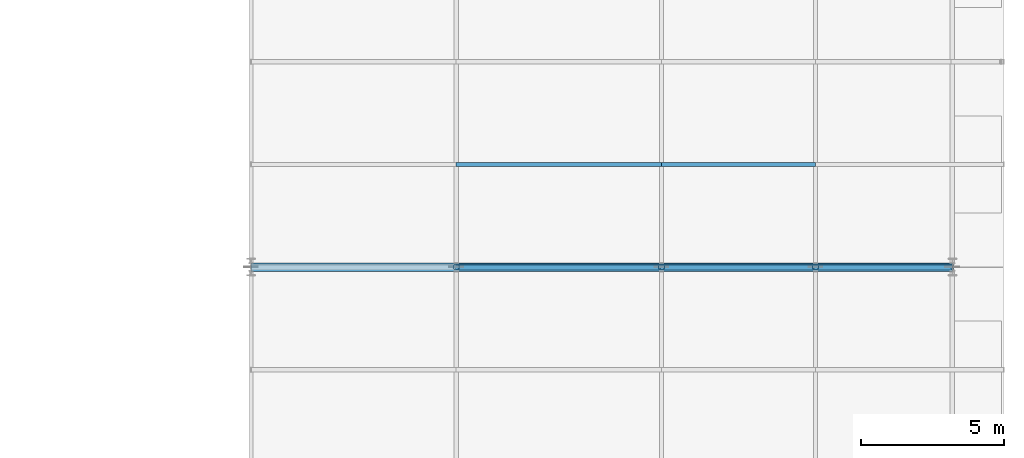
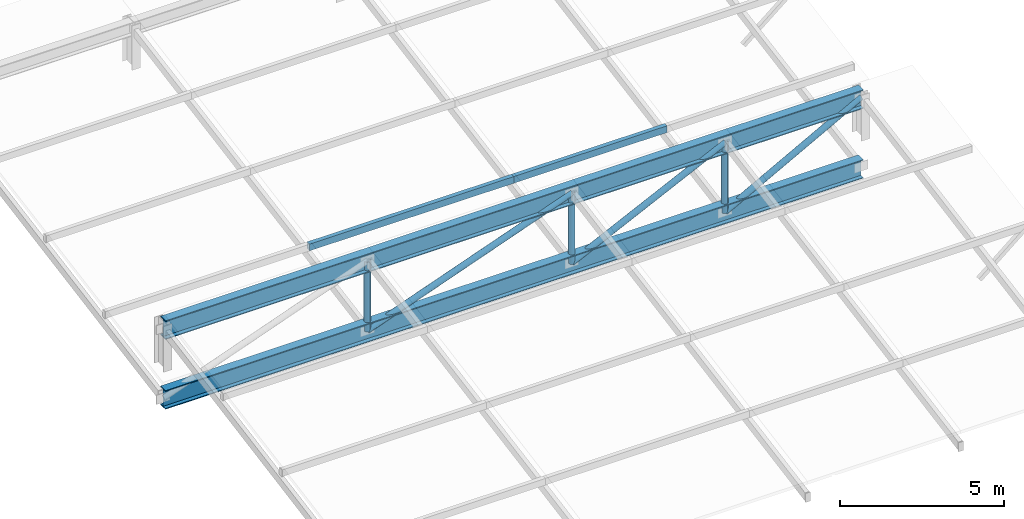
# One storey, part 33 of 63: 8 members, 2 beams.
"""IFC4 building model written with IfcOpenShell, lengths in metres."""

import ifcopenshell
import ifcopenshell.guid

model = None  # the IFC model being written
_history = None  # IfcOwnerHistory: only IFC2X3 demands one
_inside = {}  # id of a spatial element -> (the spatial element, [elements in it])
_under = {}  # id of a project, library or spatial element -> (it, [spatial elements below it])
_declared = {}  # id of a project -> (the project, [libraries it declares])
_typed = {}  # id of a type object -> (the type object, [elements of that type])
_made_of = {}  # id of a material, layer set ... -> (it, [elements and type objects made of it])


def new_model(schema):
    """Start an empty IFC model of exactly this schema.

    Asked for "IFC4X3", IfcOpenShell would pick the latest addendum, in which some entities
    have other attributes; the version numbers below select the first issue.
    IFC2X3 requires an IfcOwnerHistory on every rooted entity: one is made here for all.
    """
    global model, _history
    if schema == "IFC4X3":
        model = ifcopenshell.file(schema_version=(4, 3, 0, 0))
    else:
        model = ifcopenshell.file(schema=schema)
    _inside.clear()
    _under.clear()
    _declared.clear()
    _typed.clear()
    _made_of.clear()
    _history = None
    if model.schema == "IFC2X3":
        org = make("IfcOrganization", Name="unknown")
        user = make(
            "IfcPersonAndOrganization",
            ThePerson=make("IfcPerson", FamilyName="unknown"),
            TheOrganization=org,
        )
        app = make(
            "IfcApplication",
            ApplicationDeveloper=org,
            Version="unknown",
            ApplicationFullName="unknown",
            ApplicationIdentifier="unknown",
        )
        _history = make(
            "IfcOwnerHistory",
            OwningUser=user,
            OwningApplication=app,
            ChangeAction="ADDED",
            CreationDate=0,
        )
    return model


def make(cls, **values):
    """One entity of the class cls with the attributes given. An attribute that is None is left unset."""
    return model.create_entity(
        cls, **{name: value for name, value in values.items() if value is not None}
    )


def rooted(cls, **values):
    """An entity with a GlobalId (a new one), such as an element, a storey or a relation."""
    return make(cls, GlobalId=ifcopenshell.guid.new(), OwnerHistory=_history, **values)


def si_unit(unit_type, name, prefix=None):
    """IfcSIUnit, for example si_unit("LENGTHUNIT", "METRE", prefix="MILLI")."""
    return make("IfcSIUnit", UnitType=unit_type, Prefix=prefix, Name=name)


def assignment(units):
    """IfcUnitAssignment: the units of a project."""
    return None if units is None else make("IfcUnitAssignment", Units=units)


def point(xyz):
    """IfcCartesianPoint."""
    return None if xyz is None else make("IfcCartesianPoint", Coordinates=xyz)


def direction(xyz):
    """IfcDirection."""
    return None if xyz is None else make("IfcDirection", DirectionRatios=xyz)


def frame(location, z_axis=None, x_axis=None):
    """IfcAxis2Placement3D, a coordinate frame: its origin and axes. An axis left out is left unset."""
    return make(
        "IfcAxis2Placement3D",
        Location=point(location),
        Axis=direction(z_axis),
        RefDirection=direction(x_axis),
    )


def frame_2d(location, x_axis=None):
    """IfcAxis2Placement2D, a coordinate frame in the plane: its origin and x axis."""
    return make(
        "IfcAxis2Placement2D", Location=point(location), RefDirection=direction(x_axis)
    )


def origin():
    """The frame at (0, 0, 0) with its axes left unset."""
    return frame((0.0, 0.0, 0.0))


def origin_2d():
    """The frame at (0, 0) in the plane with its x axis left unset."""
    return frame_2d((0.0, 0.0))


def place(relative_to, where):
    """IfcLocalPlacement: puts the frame where relative to a parent placement (None: the world)."""
    return make(
        "IfcLocalPlacement", PlacementRelTo=relative_to, RelativePlacement=where
    )


def context(
    kind, dimensions, precision=None, world=None, true_north=None, identifier=None
):
    """IfcGeometricRepresentationContext, for example the 3D "Model" context."""
    return make(
        "IfcGeometricRepresentationContext",
        ContextIdentifier=identifier,
        ContextType=kind,
        CoordinateSpaceDimension=dimensions,
        Precision=precision,
        WorldCoordinateSystem=world,
        TrueNorth=true_north,
    )


def subcontext(parent, identifier, kind, view, scale=None):
    """IfcGeometricRepresentationSubContext, for example "Body" below "Model"."""
    return make(
        "IfcGeometricRepresentationSubContext",
        ContextIdentifier=identifier,
        ContextType=kind,
        ParentContext=parent,
        TargetScale=scale,
        TargetView=view,
    )


def project(units=None, contexts=None):
    """IfcProject with its units and contexts."""
    return rooted(
        "IfcProject",
        Name="project",
        RepresentationContexts=contexts,
        UnitsInContext=assignment(units),
    )


def spatial(cls, under=None, at=None, **own):
    """A site, building, storey or space (cls), placed at a placement, below another one or the project."""
    s = rooted(cls, ObjectPlacement=at, **own)
    if under is not None:
        _under.setdefault(under.id(), (under, []))[1].append(s)
    return s


def profile(cls, at=None, kind="AREA", **sizes):
    """A parametric profile (cls). Its sizes go by their IFC names, for example OverallWidth=200.0."""
    return make(cls, ProfileType=kind, Position=at, **sizes)


def hollow_rectangle(**sizes):
    """IfcRectangleHollowProfileDef."""
    return profile("IfcRectangleHollowProfileDef", **sizes)


def hollow_circle(**sizes):
    """IfcCircleHollowProfileDef."""
    return profile("IfcCircleHollowProfileDef", **sizes)


def i_section(**sizes):
    """IfcIShapeProfileDef."""
    return profile("IfcIShapeProfileDef", **sizes)


def extrude(swept, where, along, depth):
    """IfcExtrudedAreaSolid: the profile swept, set in the frame where, extruded along a direction by depth."""
    return make(
        "IfcExtrudedAreaSolid",
        SweptArea=swept,
        Position=where,
        ExtrudedDirection=direction(along),
        Depth=depth,
    )


def shape(context_of_items, identifier, shape_type, items):
    """IfcShapeRepresentation: the items that make up one representation, for example the "Body"."""
    return make(
        "IfcShapeRepresentation",
        ContextOfItems=context_of_items,
        RepresentationIdentifier=identifier,
        RepresentationType=shape_type,
        Items=items,
    )


def material(Name=None, Category=None):
    """IfcMaterial."""
    return make("IfcMaterial", Name=Name, Category=Category)


def material_profile(
    of_material, cross_section, Name=None, Category=None, Priority=None
):
    """IfcMaterialProfile: a cross section and its material."""
    return make(
        "IfcMaterialProfile",
        Name=Name,
        Material=of_material,
        Profile=cross_section,
        Priority=Priority,
        Category=Category,
    )


def profile_set(profiles, Name=None, composite=None):
    """IfcMaterialProfileSet."""
    return make(
        "IfcMaterialProfileSet",
        Name=Name,
        MaterialProfiles=profiles,
        CompositeProfile=composite,
    )


def made_of(thing, what):
    """Note that an element or type object is made of a material, layer set ...; save() writes the relation."""
    if what is not None:
        _made_of.setdefault(what.id(), (what, []))[1].append(thing)
    return thing


def type_object(cls, material=None, **own):
    """A type object (cls), such as IfcWallType, which elements share."""
    return made_of(rooted(cls, **own), material)


def element(
    cls,
    number,
    at=None,
    inside=None,
    cuts=None,
    type_object=None,
    material=None,
    context=None,
    identifier="Body",
    shape_type=None,
    held_by="IfcProductDefinitionShape",
    body=None,
    shapes=None,
    **own,
):
    """One element of the class cls, such as IfcWall. Its Tag is "e" and its number.

    at: its placement. inside: the storey or other place that contains it. cuts: it is an
    opening in that element (IfcRelVoidsElement). A single representation is given by context,
    identifier, shape_type and body (its items); several are given by shapes. held_by: the class
    of the entity that holds the representations. save() writes the other relations.
    """
    e = rooted(cls, Tag="e%d" % number, ObjectPlacement=at, **own)
    if body is not None:
        shapes = [shape(context, identifier, shape_type, body)]
    if shapes is not None:
        e.Representation = make(held_by, Representations=shapes)
    if inside is not None:
        _inside.setdefault(inside.id(), (inside, []))[1].append(e)
    if cuts is not None:
        rooted(
            "IfcRelVoidsElement", RelatingBuildingElement=cuts, RelatedOpeningElement=e
        )
    if type_object is not None:
        _typed.setdefault(type_object.id(), (type_object, []))[1].append(e)
    return made_of(e, material)


def aggregate(whole, parts):
    """IfcRelAggregates: a whole, such as a stair, and the parts it consists of."""
    return rooted("IfcRelAggregates", RelatingObject=whole, RelatedObjects=parts)


def save(model, path):
    """Write the relations noted so far, then the file.

    IfcRelAggregates (storeys below a building ...), IfcRelContainedInSpatialStructure (elements
    in a storey), IfcRelDefinesByType, IfcRelAssociatesMaterial and IfcRelDeclares: one each for
    every whole, place, type object, material and project.
    """
    for whole, parts in _under.values():
        aggregate(whole, parts)
    for where, things in _inside.values():
        rooted(
            "IfcRelContainedInSpatialStructure",
            RelatedElements=things,
            RelatingStructure=where,
        )
    for kind, things in _typed.values():
        rooted("IfcRelDefinesByType", RelatedObjects=things, RelatingType=kind)
    for what, things in _made_of.values():
        rooted("IfcRelAssociatesMaterial", RelatedObjects=things, RelatingMaterial=what)
    for by, libraries in _declared.values():
        rooted("IfcRelDeclares", RelatingContext=by, RelatedDefinitions=libraries)
    model.write(path)


model = new_model("IFC4")

# Units and contexts
model_context = context("Model", 3, precision=1e-05, world=origin(), true_north=direction((0.0, 1.0)))
body_context = subcontext(model_context, "Body", "Model", "MODEL_VIEW")
ifc_project = project(units=[si_unit("LENGTHUNIT", "METRE"), si_unit("AREAUNIT", "SQUARE_METRE"), si_unit("VOLUMEUNIT", "CUBIC_METRE"), si_unit("PLANEANGLEUNIT", "RADIAN"), si_unit("MASSUNIT", "GRAM", prefix="KILO")], contexts=[model_context])

# Site, building, storey
site_placement = place(None, origin())
site = spatial("IfcSite", under=ifc_project, at=site_placement, CompositionType="ELEMENT")
building_placement = place(site_placement, origin())
building = spatial("IfcBuilding", under=site, at=building_placement, Name="Solvadek Multi-Sports Hall", CompositionType="ELEMENT")
storey_placement = place(building_placement, frame((0.0, 0.0, 19.199951171875)))
storey = spatial("IfcBuildingStorey", under=building, at=storey_placement, Name="RF", CompositionType="ELEMENT", Elevation=19.199951171875)

# Beams
ifc_material = material(Name="Steel E350 (350 MPa)", Category="steel")
ifc_material_profile_1 = material_profile(ifc_material, i_section(OverallWidth=0.300048828125, OverallDepth=0.699951171875, WebThickness=0.01708984375, FlangeThickness=0.031982421875, at=origin_2d()), Name="WPB 700")
ifc_profile_set_1 = profile_set([ifc_material_profile_1], Name="Steel E350 (350 MPa)")
beam_type = type_object("IfcBeamType", Name="STR-BM-WPB700", PredefinedType="BEAM", material=ifc_profile_set_1)
for number, where, z_axis, x_axis, name in (
    (1, (136.800048828125, 56.39990234375, -1.16943359375), (1.0, 0.0, 0.0), (0.0, 1.0, 0.0), "V2 Sawtooth Clerestory Valley Girder"),
    (2, (136.800048828125, 56.39990234375, 1.430419921875), (1.0, 0.0, 0.0), (0.0, 1.0, 0.0), "V2 Sawtooth Clerestory Ridge Girder"),
):
    element("IfcBeam", number, at=place(storey_placement, frame(where, z_axis=z_axis, x_axis=x_axis)), inside=storey, type_object=beam_type, Name=name, PredefinedType="BEAM", context=body_context, shape_type="SweptSolid", body=[
        extrude(i_section(OverallWidth=0.300048828125, OverallDepth=0.699951171875, WebThickness=0.01708984375, FlangeThickness=0.031982421875, at=origin_2d()), origin(), (0.0, 0.0, 1.0), 24.599853515625),
    ])

# Members
ifc_material_profile_2 = material_profile(ifc_material, hollow_circle(Radius=0.109619140625, WallThickness=0.010009765625, at=origin_2d()), Name="CHS 219.1x10")
ifc_profile_set_2 = profile_set([ifc_material_profile_2], Name="Steel E350 (350 MPa)")
member_type_1 = type_object("IfcMemberType", Name="STR-BRC-CHS219", PredefinedType="BRACE", material=ifc_profile_set_2)
member_1_placement = place(storey_placement, frame((144.0, 56.39990234375, -1.16943359375), z_axis=(0.940559276771, 0.0, 0.339629573034), x_axis=(0.0, 1.0, 0.0)))
element("IfcMember", 3, at=member_1_placement, inside=storey, type_object=member_type_1, Name="V2 Clerestory Truss Web Diagonal #2", PredefinedType="BRACE", context=body_context, shape_type="SweptSolid", body=[
    extrude(hollow_circle(Radius=0.109619140625, WallThickness=0.010009765625, at=origin_2d()), origin(), (0.0, 0.0, 1.0), 7.655029296875),
])
member_2_placement = place(storey_placement, frame((144.0, 56.39990234375, -1.16943359375), z_axis=(0.0, 0.0, 1.0), x_axis=(1.0, 0.0, 0.0)))
element("IfcMember", 4, at=member_2_placement, inside=storey, type_object=member_type_1, Name="V2 Clerestory Truss Web Vertical #1", PredefinedType="BRACE", context=body_context, shape_type="SweptSolid", body=[
    extrude(hollow_circle(Radius=0.109619140625, WallThickness=0.010009765625, at=origin_2d()), origin(), (0.0, 0.0, 1.0), 2.599853515625),
])
member_3_placement = place(storey_placement, frame((151.199951171875, 56.39990234375, -1.16943359375), z_axis=(0.901015822171, 0.0, 0.433786224074), x_axis=(0.0, 1.0, 0.0)))
element("IfcMember", 5, at=member_3_placement, inside=storey, type_object=member_type_1, Name="V2 Clerestory Truss Web Diagonal #3", PredefinedType="BRACE", context=body_context, shape_type="SweptSolid", body=[
    extrude(hollow_circle(Radius=0.109619140625, WallThickness=0.010009765625, at=origin_2d()), origin(), (0.0, 0.0, 1.0), 5.993408203125),
])
member_4_placement = place(storey_placement, frame((151.199951171875, 56.39990234375, -1.16943359375), z_axis=(0.0, 0.0, 1.0), x_axis=(1.0, 0.0, 0.0)))
element("IfcMember", 6, at=member_4_placement, inside=storey, type_object=member_type_1, Name="V2 Clerestory Truss Web Vertical #2", PredefinedType="BRACE", context=body_context, shape_type="SweptSolid", body=[
    extrude(hollow_circle(Radius=0.109619140625, WallThickness=0.010009765625, at=origin_2d()), origin(), (0.0, 0.0, 1.0), 2.599853515625),
])
member_5_placement = place(storey_placement, frame((156.60009765625, 56.39990234375, -1.16943359375), z_axis=(0.879295088268, 0.0, 0.476277385299), x_axis=(0.0, 1.0, 0.0)))
element("IfcMember", 7, at=member_5_placement, inside=storey, type_object=member_type_1, Name="V2 Clerestory Truss Web Diagonal #4", PredefinedType="BRACE", context=body_context, shape_type="SweptSolid", body=[
    extrude(hollow_circle(Radius=0.109619140625, WallThickness=0.010009765625, at=origin_2d()), origin(), (0.0, 0.0, 1.0), 5.458740234375),
])
member_6_placement = place(storey_placement, frame((156.60009765625, 56.39990234375, -1.16943359375), z_axis=(0.0, 0.0, 1.0), x_axis=(1.0, 0.0, 0.0)))
element("IfcMember", 8, at=member_6_placement, inside=storey, type_object=member_type_1, Name="V2 Clerestory Truss Web Vertical #3", PredefinedType="BRACE", context=body_context, shape_type="SweptSolid", body=[
    extrude(hollow_circle(Radius=0.109619140625, WallThickness=0.010009765625, at=origin_2d()), origin(), (0.0, 0.0, 1.0), 2.599853515625),
])
ifc_material_profile_3 = material_profile(ifc_material, hollow_rectangle(XDim=0.14990234375, YDim=0.25, WallThickness=0.010009765625, at=origin_2d()), Name="RHS 250x150x10")
ifc_profile_set_3 = profile_set([ifc_material_profile_3], Name="Steel E350 (350 MPa)")
member_type_2 = type_object("IfcMemberType", Name="STR-PUR-RHS250", PredefinedType="PURLIN", material=ifc_profile_set_3)
member_7_placement = place(storey_placement, frame((144.0, 60.0, -0.235595703125), z_axis=(1.0, 0.0, 0.0), x_axis=(0.0, 1.0, 0.0)))
element("IfcMember", 9, at=member_7_placement, inside=storey, type_object=member_type_2, Name="V2 Clerestory Purlin #118", PredefinedType="PURLIN", context=body_context, shape_type="SweptSolid", body=[
    extrude(hollow_rectangle(XDim=0.14990234375, YDim=0.25, WallThickness=0.010009765625, at=origin_2d()), origin(), (0.0, 0.0, 1.0), 7.199951171875),
])
member_8_placement = place(storey_placement, frame((151.199951171875, 60.0, -0.235595703125), z_axis=(1.0, 0.0, 0.0), x_axis=(0.0, 1.0, 0.0)))
element("IfcMember", 10, at=member_8_placement, inside=storey, type_object=member_type_2, Name="V2 Clerestory Purlin #124", PredefinedType="PURLIN", context=body_context, shape_type="SweptSolid", body=[
    extrude(hollow_rectangle(XDim=0.14990234375, YDim=0.25, WallThickness=0.010009765625, at=origin_2d()), origin(), (0.0, 0.0, 1.0), 5.400146484375),
])

save(model, "model.ifc")
